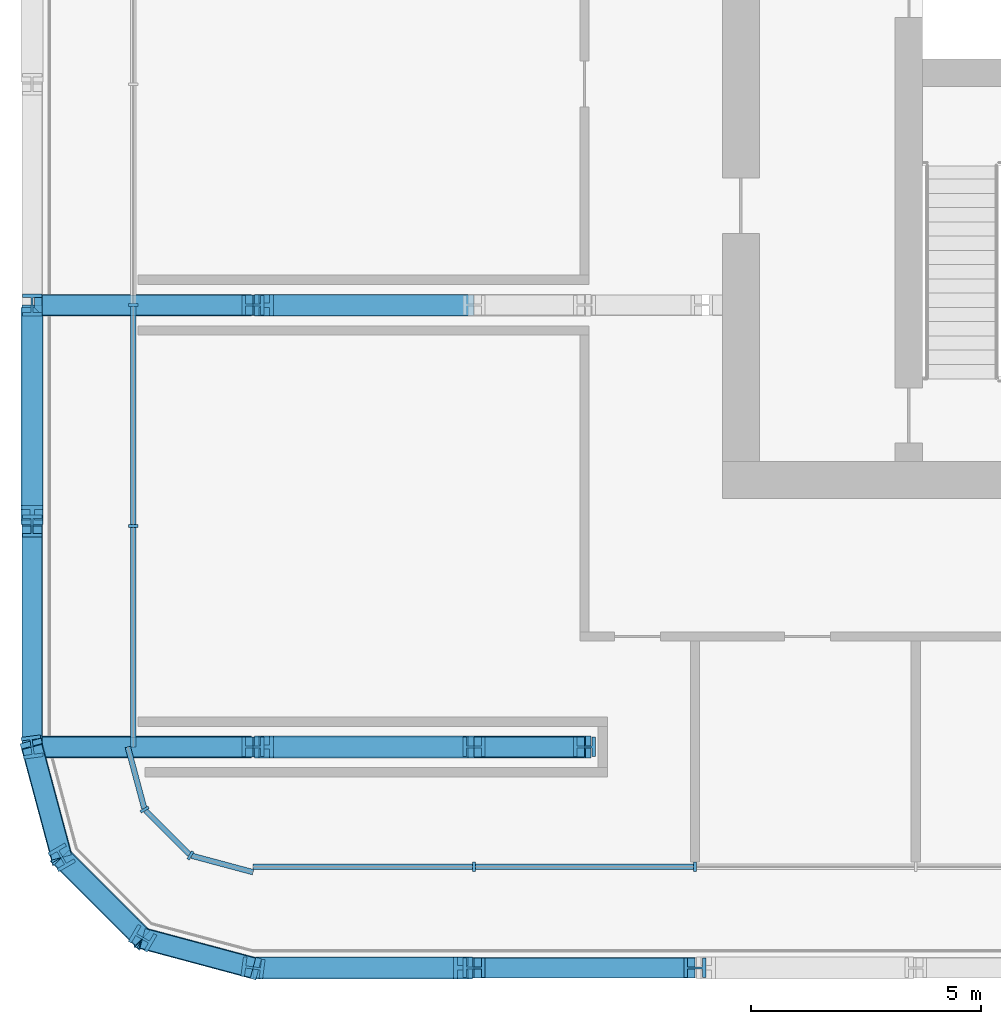
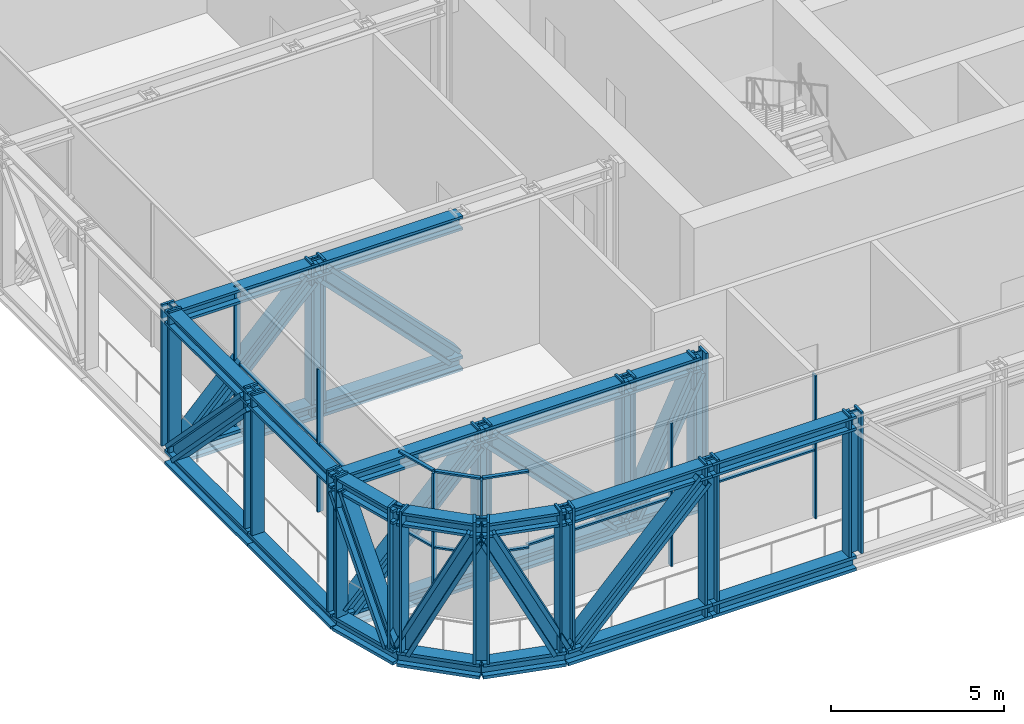
# One storey, part 1 of 25: 62 members, 3 elements without a shape of their own.
"""IFC4 building model written with IfcOpenShell, lengths in metres."""

import ifcopenshell
import ifcopenshell.guid

model = None  # the IFC model being written
_history = None  # IfcOwnerHistory: only IFC2X3 demands one
_inside = {}  # id of a spatial element -> (the spatial element, [elements in it])
_under = {}  # id of a project, library or spatial element -> (it, [spatial elements below it])
_declared = {}  # id of a project -> (the project, [libraries it declares])
_typed = {}  # id of a type object -> (the type object, [elements of that type])
_made_of = {}  # id of a material, layer set ... -> (it, [elements and type objects made of it])


def new_model(schema):
    """Start an empty IFC model of exactly this schema.

    Asked for "IFC4X3", IfcOpenShell would pick the latest addendum, in which some entities
    have other attributes; the version numbers below select the first issue.
    IFC2X3 requires an IfcOwnerHistory on every rooted entity: one is made here for all.
    """
    global model, _history
    if schema == "IFC4X3":
        model = ifcopenshell.file(schema_version=(4, 3, 0, 0))
    else:
        model = ifcopenshell.file(schema=schema)
    _inside.clear()
    _under.clear()
    _declared.clear()
    _typed.clear()
    _made_of.clear()
    _history = None
    if model.schema == "IFC2X3":
        org = make("IfcOrganization", Name="unknown")
        user = make(
            "IfcPersonAndOrganization",
            ThePerson=make("IfcPerson", FamilyName="unknown"),
            TheOrganization=org,
        )
        app = make(
            "IfcApplication",
            ApplicationDeveloper=org,
            Version="unknown",
            ApplicationFullName="unknown",
            ApplicationIdentifier="unknown",
        )
        _history = make(
            "IfcOwnerHistory",
            OwningUser=user,
            OwningApplication=app,
            ChangeAction="ADDED",
            CreationDate=0,
        )
    return model


def make(cls, **values):
    """One entity of the class cls with the attributes given. An attribute that is None is left unset."""
    return model.create_entity(
        cls, **{name: value for name, value in values.items() if value is not None}
    )


def rooted(cls, **values):
    """An entity with a GlobalId (a new one), such as an element, a storey or a relation."""
    return make(cls, GlobalId=ifcopenshell.guid.new(), OwnerHistory=_history, **values)


def si_unit(unit_type, name, prefix=None):
    """IfcSIUnit, for example si_unit("LENGTHUNIT", "METRE", prefix="MILLI")."""
    return make("IfcSIUnit", UnitType=unit_type, Prefix=prefix, Name=name)


def assignment(units):
    """IfcUnitAssignment: the units of a project."""
    return None if units is None else make("IfcUnitAssignment", Units=units)


def point(xyz):
    """IfcCartesianPoint."""
    return None if xyz is None else make("IfcCartesianPoint", Coordinates=xyz)


def direction(xyz):
    """IfcDirection."""
    return None if xyz is None else make("IfcDirection", DirectionRatios=xyz)


def frame(location, z_axis=None, x_axis=None):
    """IfcAxis2Placement3D, a coordinate frame: its origin and axes. An axis left out is left unset."""
    return make(
        "IfcAxis2Placement3D",
        Location=point(location),
        Axis=direction(z_axis),
        RefDirection=direction(x_axis),
    )


def frame_2d(location, x_axis=None):
    """IfcAxis2Placement2D, a coordinate frame in the plane: its origin and x axis."""
    return make(
        "IfcAxis2Placement2D", Location=point(location), RefDirection=direction(x_axis)
    )


def origin():
    """The frame at (0, 0, 0) with its axes left unset."""
    return frame((0.0, 0.0, 0.0))


def origin_2d():
    """The frame at (0, 0) in the plane with its x axis left unset."""
    return frame_2d((0.0, 0.0))


def place(relative_to, where):
    """IfcLocalPlacement: puts the frame where relative to a parent placement (None: the world)."""
    return make(
        "IfcLocalPlacement", PlacementRelTo=relative_to, RelativePlacement=where
    )


def context(
    kind, dimensions, precision=None, world=None, true_north=None, identifier=None
):
    """IfcGeometricRepresentationContext, for example the 3D "Model" context."""
    return make(
        "IfcGeometricRepresentationContext",
        ContextIdentifier=identifier,
        ContextType=kind,
        CoordinateSpaceDimension=dimensions,
        Precision=precision,
        WorldCoordinateSystem=world,
        TrueNorth=true_north,
    )


def subcontext(parent, identifier, kind, view, scale=None):
    """IfcGeometricRepresentationSubContext, for example "Body" below "Model"."""
    return make(
        "IfcGeometricRepresentationSubContext",
        ContextIdentifier=identifier,
        ContextType=kind,
        ParentContext=parent,
        TargetScale=scale,
        TargetView=view,
    )


def project(units=None, contexts=None):
    """IfcProject with its units and contexts."""
    return rooted(
        "IfcProject",
        Name="project",
        RepresentationContexts=contexts,
        UnitsInContext=assignment(units),
    )


def spatial(cls, under=None, at=None, **own):
    """A site, building, storey or space (cls), placed at a placement, below another one or the project."""
    s = rooted(cls, ObjectPlacement=at, **own)
    if under is not None:
        _under.setdefault(under.id(), (under, []))[1].append(s)
    return s


def profile(cls, at=None, kind="AREA", **sizes):
    """A parametric profile (cls). Its sizes go by their IFC names, for example OverallWidth=200.0."""
    return make(cls, ProfileType=kind, Position=at, **sizes)


def rectangle(**sizes):
    """IfcRectangleProfileDef."""
    return profile("IfcRectangleProfileDef", **sizes)


def i_section(**sizes):
    """IfcIShapeProfileDef."""
    return profile("IfcIShapeProfileDef", **sizes)


def extrude(swept, where, along, depth):
    """IfcExtrudedAreaSolid: the profile swept, set in the frame where, extruded along a direction by depth."""
    return make(
        "IfcExtrudedAreaSolid",
        SweptArea=swept,
        Position=where,
        ExtrudedDirection=direction(along),
        Depth=depth,
    )


def shape(context_of_items, identifier, shape_type, items):
    """IfcShapeRepresentation: the items that make up one representation, for example the "Body"."""
    return make(
        "IfcShapeRepresentation",
        ContextOfItems=context_of_items,
        RepresentationIdentifier=identifier,
        RepresentationType=shape_type,
        Items=items,
    )


def material(Name=None, Category=None):
    """IfcMaterial."""
    return make("IfcMaterial", Name=Name, Category=Category)


def layer(
    of_material, thickness, ventilated=None, Name=None, Category=None, Priority=None
):
    """IfcMaterialLayer: one layer of a wall or slab, of a material (None: an air gap)."""
    return make(
        "IfcMaterialLayer",
        Material=of_material,
        LayerThickness=thickness,
        IsVentilated=ventilated,
        Name=Name,
        Category=Category,
        Priority=Priority,
    )


def layer_set(layers, Name=None):
    """IfcMaterialLayerSet."""
    return make("IfcMaterialLayerSet", MaterialLayers=layers, LayerSetName=Name)


def material_profile(
    of_material, cross_section, Name=None, Category=None, Priority=None
):
    """IfcMaterialProfile: a cross section and its material."""
    return make(
        "IfcMaterialProfile",
        Name=Name,
        Material=of_material,
        Profile=cross_section,
        Priority=Priority,
        Category=Category,
    )


def profile_set(profiles, Name=None, composite=None):
    """IfcMaterialProfileSet."""
    return make(
        "IfcMaterialProfileSet",
        Name=Name,
        MaterialProfiles=profiles,
        CompositeProfile=composite,
    )


def made_of(thing, what):
    """Note that an element or type object is made of a material, layer set ...; save() writes the relation."""
    if what is not None:
        _made_of.setdefault(what.id(), (what, []))[1].append(thing)
    return thing


def type_object(cls, material=None, **own):
    """A type object (cls), such as IfcWallType, which elements share."""
    return made_of(rooted(cls, **own), material)


def element(
    cls,
    number,
    at=None,
    inside=None,
    cuts=None,
    type_object=None,
    material=None,
    context=None,
    identifier="Body",
    shape_type=None,
    held_by="IfcProductDefinitionShape",
    body=None,
    shapes=None,
    **own,
):
    """One element of the class cls, such as IfcWall. Its Tag is "e" and its number.

    at: its placement. inside: the storey or other place that contains it. cuts: it is an
    opening in that element (IfcRelVoidsElement). A single representation is given by context,
    identifier, shape_type and body (its items); several are given by shapes. held_by: the class
    of the entity that holds the representations. save() writes the other relations.
    """
    e = rooted(cls, Tag="e%d" % number, ObjectPlacement=at, **own)
    if body is not None:
        shapes = [shape(context, identifier, shape_type, body)]
    if shapes is not None:
        e.Representation = make(held_by, Representations=shapes)
    if inside is not None:
        _inside.setdefault(inside.id(), (inside, []))[1].append(e)
    if cuts is not None:
        rooted(
            "IfcRelVoidsElement", RelatingBuildingElement=cuts, RelatedOpeningElement=e
        )
    if type_object is not None:
        _typed.setdefault(type_object.id(), (type_object, []))[1].append(e)
    return made_of(e, material)


def aggregate(whole, parts):
    """IfcRelAggregates: a whole, such as a stair, and the parts it consists of."""
    return rooted("IfcRelAggregates", RelatingObject=whole, RelatedObjects=parts)


def save(model, path):
    """Write the relations noted so far, then the file.

    IfcRelAggregates (storeys below a building ...), IfcRelContainedInSpatialStructure (elements
    in a storey), IfcRelDefinesByType, IfcRelAssociatesMaterial and IfcRelDeclares: one each for
    every whole, place, type object, material and project.
    """
    for whole, parts in _under.values():
        aggregate(whole, parts)
    for where, things in _inside.values():
        rooted(
            "IfcRelContainedInSpatialStructure",
            RelatedElements=things,
            RelatingStructure=where,
        )
    for kind, things in _typed.values():
        rooted("IfcRelDefinesByType", RelatedObjects=things, RelatingType=kind)
    for what, things in _made_of.values():
        rooted("IfcRelAssociatesMaterial", RelatedObjects=things, RelatingMaterial=what)
    for by, libraries in _declared.values():
        rooted("IfcRelDeclares", RelatingContext=by, RelatedDefinitions=libraries)
    model.write(path)


model = new_model("IFC4")

# Units and contexts
model_context = context("Model", 3, precision=1e-05, world=origin(), true_north=direction((0.0, 1.0)))
body_context = subcontext(model_context, "Body", "Model", "MODEL_VIEW")
ifc_project = project(units=[si_unit("LENGTHUNIT", "METRE"), si_unit("AREAUNIT", "SQUARE_METRE"), si_unit("VOLUMEUNIT", "CUBIC_METRE"), si_unit("PLANEANGLEUNIT", "RADIAN"), si_unit("MASSUNIT", "GRAM", prefix="KILO")], contexts=[model_context])

# Site, building, storey
site_placement = place(None, origin())
site = spatial("IfcSite", under=ifc_project, at=site_placement, CompositionType="ELEMENT")
building_placement = place(site_placement, origin())
building = spatial("IfcBuilding", under=site, at=building_placement, Name="Madar Terraces", CompositionType="ELEMENT")
storey_placement = place(building_placement, frame((0.0, 0.0, 113.699951171875)))
storey = spatial("IfcBuildingStorey", under=building, at=storey_placement, Name="L29", CompositionType="ELEMENT", Elevation=113.699951171875)

# Members
ifc_material_1 = material(Name="Steel ASTM A913 Grade 65", Category="steel")
ifc_material_profile_1 = material_profile(ifc_material_1, i_section(OverallWidth=0.44189453125, OverallDepth=0.53076171875, WebThickness=0.06591796875, FlangeThickness=0.105712890625, at=origin_2d()), Name="W14x605")
ifc_profile_set_1 = profile_set([ifc_material_profile_1], Name="Steel ASTM A913 Grade 65")
member_type_1 = type_object("IfcMemberType", Name="BC4 W14x605", PredefinedType="CHORD", material=ifc_profile_set_1)
member_1_placement = place(storey_placement, frame((4.800048828125, 4.800048828125, -0.154541015625), z_axis=(1.0, 0.0, 0.0), x_axis=(0.0, 1.0, 0.0)))
element("IfcMember", 1, at=member_1_placement, inside=storey, type_object=member_type_1, Name="Exoskeleton truss ring bottom chord BC4", PredefinedType="CHORD", context=body_context, shape_type="SweptSolid", body=[
    extrude(i_section(OverallWidth=0.44189453125, OverallDepth=0.53076171875, WebThickness=0.06591796875, FlangeThickness=0.105712890625, at=origin_2d()), origin(), (0.0, 0.0, 1.0), 4.800048828125),
])
member_2_placement = place(storey_placement, frame((9.60009765625, 4.800048828125, -0.154541015625), z_axis=(1.0, 0.0, 0.0), x_axis=(0.0, 1.0, 0.0)))
element("IfcMember", 2, at=member_2_placement, inside=storey, type_object=member_type_1, Name="Exoskeleton truss ring bottom chord BC4", PredefinedType="CHORD", context=body_context, shape_type="SweptSolid", body=[
    extrude(i_section(OverallWidth=0.44189453125, OverallDepth=0.53076171875, WebThickness=0.06591796875, FlangeThickness=0.105712890625, at=origin_2d()), origin(), (0.0, 0.0, 1.0), 4.7998046875),
])
member_3_placement = place(storey_placement, frame((0.0, 19.199951171875, -0.154541015625), z_axis=(0.0, -1.0, 0.0), x_axis=(1.0, 0.0, 0.0)))
element("IfcMember", 3, at=member_3_placement, inside=storey, type_object=member_type_1, Name="Exoskeleton truss ring bottom chord BC4", PredefinedType="CHORD", context=body_context, shape_type="SweptSolid", body=[
    extrude(i_section(OverallWidth=0.44189453125, OverallDepth=0.53076171875, WebThickness=0.06591796875, FlangeThickness=0.105712890625, at=origin_2d()), origin(), (0.0, 0.0, 1.0), 4.800048828125),
])
member_4_placement = place(storey_placement, frame((0.0, 14.39990234375, -0.154541015625), z_axis=(0.0, -1.0, 0.0), x_axis=(1.0, 0.0, 0.0)))
element("IfcMember", 4, at=member_4_placement, inside=storey, type_object=member_type_1, Name="Exoskeleton truss ring bottom chord BC4", PredefinedType="CHORD", context=body_context, shape_type="SweptSolid", body=[
    extrude(i_section(OverallWidth=0.44189453125, OverallDepth=0.53076171875, WebThickness=0.06591796875, FlangeThickness=0.105712890625, at=origin_2d()), origin(), (0.0, 0.0, 1.0), 4.7998046875),
])
member_5_placement = place(storey_placement, frame((0.0, 9.60009765625, -0.154541015625), z_axis=(0.258799930484, -0.965930947833, 0.0), x_axis=(0.965930947833, 0.258799930484, 0.0)))
element("IfcMember", 5, at=member_5_placement, inside=storey, type_object=member_type_1, Name="Exoskeleton truss ring bottom chord BC4", PredefinedType="CHORD", context=body_context, shape_type="SweptSolid", body=[
    extrude(i_section(OverallWidth=0.44189453125, OverallDepth=0.53076171875, WebThickness=0.06591796875, FlangeThickness=0.105712890625, at=origin_2d()), origin(), (0.0, 0.0, 1.0), 2.48486328125),
])
member_6_placement = place(storey_placement, frame((0.64306640625, 7.199951171875, -0.154541015625), z_axis=(0.707106781187, -0.707106781187, 0.0), x_axis=(0.707106781187, 0.707106781187, 0.0)))
element("IfcMember", 6, at=member_6_placement, inside=storey, type_object=member_type_1, Name="Exoskeleton truss ring bottom chord BC4", PredefinedType="CHORD", context=body_context, shape_type="SweptSolid", body=[
    extrude(i_section(OverallWidth=0.44189453125, OverallDepth=0.53076171875, WebThickness=0.06591796875, FlangeThickness=0.105712890625, at=origin_2d()), origin(), (0.0, 0.0, 1.0), 2.484619140625),
])
member_7_placement = place(storey_placement, frame((2.39990234375, 5.443115234375, -0.154541015625), z_axis=(0.965930947833, -0.258799930484, 0.0), x_axis=(0.258799930484, 0.965930947833, 0.0)))
element("IfcMember", 7, at=member_7_placement, inside=storey, type_object=member_type_1, Name="Exoskeleton truss ring bottom chord BC4", PredefinedType="CHORD", context=body_context, shape_type="SweptSolid", body=[
    extrude(i_section(OverallWidth=0.44189453125, OverallDepth=0.53076171875, WebThickness=0.06591796875, FlangeThickness=0.105712890625, at=origin_2d()), origin(), (0.0, 0.0, 1.0), 2.48486328125),
])
member_8_placement = place(storey_placement, frame((0.220947265625, 9.60009765625, -0.154541015625), z_axis=(1.0, 0.0, 0.0), x_axis=(0.0, 1.0, 0.0)))
element("IfcMember", 8, at=member_8_placement, inside=storey, type_object=member_type_1, Name="Exoskeleton truss cross W9.6 bottom chord BC4", PredefinedType="CHORD", context=body_context, shape_type="SweptSolid", body=[
    extrude(i_section(OverallWidth=0.44189453125, OverallDepth=0.53076171875, WebThickness=0.06591796875, FlangeThickness=0.105712890625, at=origin_2d()), origin(), (0.0, 0.0, 1.0), 4.5791015625),
])
member_9_placement = place(storey_placement, frame((4.800048828125, 9.60009765625, -0.154541015625), z_axis=(1.0, 0.0, 0.0), x_axis=(0.0, 1.0, 0.0)))
element("IfcMember", 9, at=member_9_placement, inside=storey, type_object=member_type_1, Name="Exoskeleton truss cross W9.6 bottom chord BC4", PredefinedType="CHORD", context=body_context, shape_type="SweptSolid", body=[
    extrude(i_section(OverallWidth=0.44189453125, OverallDepth=0.53076171875, WebThickness=0.06591796875, FlangeThickness=0.105712890625, at=origin_2d()), origin(), (0.0, 0.0, 1.0), 4.800048828125),
])
member_10_placement = place(storey_placement, frame((9.60009765625, 9.60009765625, -0.154541015625), z_axis=(1.0, 0.0, 0.0), x_axis=(0.0, 1.0, 0.0)))
element("IfcMember", 10, at=member_10_placement, inside=storey, type_object=member_type_1, Name="Exoskeleton truss cross W9.6 bottom chord BC4", PredefinedType="CHORD", context=body_context, shape_type="SweptSolid", body=[
    extrude(i_section(OverallWidth=0.44189453125, OverallDepth=0.53076171875, WebThickness=0.06591796875, FlangeThickness=0.105712890625, at=origin_2d()), origin(), (0.0, 0.0, 1.0), 2.39990234375),
])
member_11_placement = place(storey_placement, frame((0.220947265625, 19.199951171875, -0.154541015625), z_axis=(1.0, 0.0, 0.0), x_axis=(0.0, 1.0, 0.0)))
element("IfcMember", 11, at=member_11_placement, inside=storey, type_object=member_type_1, Name="Exoskeleton truss cross W19.2 bottom chord BC4", PredefinedType="CHORD", context=body_context, shape_type="SweptSolid", body=[
    extrude(i_section(OverallWidth=0.44189453125, OverallDepth=0.53076171875, WebThickness=0.06591796875, FlangeThickness=0.105712890625, at=origin_2d()), origin(), (0.0, 0.0, 1.0), 4.5791015625),
])
member_12_placement = place(storey_placement, frame((4.800048828125, 19.199951171875, -0.154541015625), z_axis=(1.0, 0.0, 0.0), x_axis=(0.0, 1.0, 0.0)))
element("IfcMember", 12, at=member_12_placement, inside=storey, type_object=member_type_1, Name="Exoskeleton truss cross W19.2 bottom chord BC4", PredefinedType="CHORD", context=body_context, shape_type="SweptSolid", body=[
    extrude(i_section(OverallWidth=0.44189453125, OverallDepth=0.53076171875, WebThickness=0.06591796875, FlangeThickness=0.105712890625, at=origin_2d()), origin(), (0.0, 0.0, 1.0), 4.800048828125),
])

# Curtain wall, members
ifc_material_2 = material(Name="Glass, ceramic frit dark grey, with black aluminium frame", Category="aluminium")
ifc_layer = layer(ifc_material_2, 0.199951171875)
ifc_layer_set = layer_set([ifc_layer], Name="Facade curtain wall, tall glazing")
curtain_wall_type = type_object("IfcCurtainWallType", Name="Facade curtain wall, tall glazing", PredefinedType="NOTDEFINED", material=ifc_layer_set)
curtain_wall_1_placement = place(storey_placement, origin())
curtain_wall_1 = element("IfcCurtainWall", 13, at=curtain_wall_1_placement, inside=storey, type_object=curtain_wall_type, Name="Outer skin curtain wall south bay 1", PredefinedType="NOTDEFINED")
ifc_material_3 = material(Name="Aluminium, black anodised", Category="aluminium")
ifc_material_profile_2 = material_profile(ifc_material_3, rectangle(XDim=0.199951171875, YDim=0.06005859375, at=origin_2d()), Name="Facade mullion 60x200")
ifc_profile_set_2 = profile_set([ifc_material_profile_2], Name="Aluminium, black anodised")
member_type_2 = type_object("IfcMemberType", Name="Facade mullion 60x200", PredefinedType="MULLION", material=ifc_profile_set_2)
member_13_placement = place(storey_placement, frame((9.60009765625, 7.0, 0.0), z_axis=(0.0, 0.0, 1.0), x_axis=(0.0, 1.0, 0.0)))
member_13 = element("IfcMember", 14, at=member_13_placement, type_object=member_type_2, Name="Mullion 1", PredefinedType="MULLION", context=body_context, shape_type="SweptSolid", body=[
    extrude(rectangle(XDim=0.199951171875, YDim=0.06005859375, at=origin_2d()), origin(), (0.0, 0.0, 1.0), 5.0400390625),
])
member_14_placement = place(storey_placement, frame((14.39990234375, 7.0, 0.0), z_axis=(0.0, 0.0, 1.0), x_axis=(0.0, 1.0, 0.0)))
member_14 = element("IfcMember", 15, at=member_14_placement, type_object=member_type_2, Name="Mullion 2", PredefinedType="MULLION", context=body_context, shape_type="SweptSolid", body=[
    extrude(rectangle(XDim=0.199951171875, YDim=0.06005859375, at=origin_2d()), origin(), (0.0, 0.0, 1.0), 5.0400390625),
])

curtain_wall_2_placement = place(storey_placement, origin())
curtain_wall_2 = element("IfcCurtainWall", 16, at=curtain_wall_2_placement, inside=storey, type_object=curtain_wall_type, Name="Outer skin curtain wall west bay 1", PredefinedType="NOTDEFINED")
member_15_placement = place(storey_placement, frame((2.199951171875, 19.199951171875, 0.0), z_axis=(0.0, 0.0, 1.0), x_axis=(1.0, 0.0, 0.0)))
member_15 = element("IfcMember", 17, at=member_15_placement, type_object=member_type_2, Name="Mullion 6", PredefinedType="MULLION", context=body_context, shape_type="SweptSolid", body=[
    extrude(rectangle(XDim=0.199951171875, YDim=0.06005859375, at=origin_2d()), origin(), (0.0, 0.0, 1.0), 5.0400390625),
])
member_16_placement = place(storey_placement, frame((2.199951171875, 14.39990234375, 0.0), z_axis=(0.0, 0.0, 1.0), x_axis=(1.0, 0.0, 0.0)))
member_16 = element("IfcMember", 18, at=member_16_placement, type_object=member_type_2, Name="Mullion 7", PredefinedType="MULLION", context=body_context, shape_type="SweptSolid", body=[
    extrude(rectangle(XDim=0.199951171875, YDim=0.06005859375, at=origin_2d()), origin(), (0.0, 0.0, 1.0), 5.0400390625),
])

curtain_wall_3_placement = place(storey_placement, origin())
curtain_wall_3 = element("IfcCurtainWall", 19, at=curtain_wall_3_placement, inside=storey, type_object=curtain_wall_type, Name="Outer skin curtain wall south-west corner", PredefinedType="NOTDEFINED")
member_17_placement = place(storey_placement, frame((2.4443359375, 8.239990234375, 0.0), z_axis=(0.0, 0.0, 1.0), x_axis=(0.866025386925, 0.500000029202, 0.0)))
member_17 = element("IfcMember", 20, at=member_17_placement, type_object=member_type_2, Name="Mullion 1", PredefinedType="MULLION", context=body_context, shape_type="SweptSolid", body=[
    extrude(rectangle(XDim=0.199951171875, YDim=0.06005859375, at=origin_2d()), origin(), (0.0, 0.0, 1.0), 5.0400390625),
])
member_18_placement = place(storey_placement, frame((3.43994140625, 7.244384765625, 0.0), z_axis=(0.0, 0.0, 1.0), x_axis=(0.500000029202, 0.866025386925, 0.0)))
member_18 = element("IfcMember", 21, at=member_18_placement, type_object=member_type_2, Name="Mullion 2", PredefinedType="MULLION", context=body_context, shape_type="SweptSolid", body=[
    extrude(rectangle(XDim=0.199951171875, YDim=0.06005859375, at=origin_2d()), origin(), (0.0, 0.0, 1.0), 5.0400390625),
])

# Member
ifc_material_4 = material(Name="Aluminium, black anodised", Category="aluminium")
ifc_material_profile_3 = material_profile(ifc_material_4, rectangle(XDim=0.1201171875, YDim=0.06005859375, at=origin_2d()), Name="Facade transom 60x120")
ifc_profile_set_3 = profile_set([ifc_material_profile_3], Name="Aluminium, black anodised")
member_type_3 = type_object("IfcMemberType", Name="Facade transom 60x120", PredefinedType="USERDEFINED", material=ifc_profile_set_3)
member_19_placement = place(storey_placement, frame((4.800048828125, 7.0, 2.400146484375), z_axis=(1.0, 0.0, 0.0), x_axis=(0.0, 1.0, 0.0)))
member_19 = element("IfcMember", 22, at=member_19_placement, type_object=member_type_3, Name="Transom 2", ObjectType="TRANSOM", PredefinedType="USERDEFINED", context=body_context, shape_type="SweptSolid", body=[
    extrude(rectangle(XDim=0.1201171875, YDim=0.06005859375, at=origin_2d()), origin(), (0.0, 0.0, 1.0), 4.77001953125),
])

member_20_placement = place(storey_placement, frame((9.6298828125, 7.0, 2.400146484375), z_axis=(1.0, 0.0, 0.0), x_axis=(0.0, 1.0, 0.0)))
member_20 = element("IfcMember", 23, at=member_20_placement, type_object=member_type_3, Name="Transom 3", ObjectType="TRANSOM", PredefinedType="USERDEFINED", context=body_context, shape_type="SweptSolid", body=[
    extrude(rectangle(XDim=0.1201171875, YDim=0.06005859375, at=origin_2d()), origin(), (0.0, 0.0, 1.0), 4.740234375),
])

aggregate(curtain_wall_1, [member_13, member_14, member_19, member_20])

member_21_placement = place(storey_placement, frame((2.199951171875, 19.169921875, 2.400146484375), z_axis=(0.0, -1.0, 0.0), x_axis=(1.0, 0.0, 0.0)))
member_21 = element("IfcMember", 24, at=member_21_placement, type_object=member_type_3, Name="Transom 8", ObjectType="TRANSOM", PredefinedType="USERDEFINED", context=body_context, shape_type="SweptSolid", body=[
    extrude(rectangle(XDim=0.1201171875, YDim=0.06005859375, at=origin_2d()), origin(), (0.0, 0.0, 1.0), 4.739990234375),
])

member_22_placement = place(storey_placement, frame((2.199951171875, 14.3701171875, 2.400146484375), z_axis=(0.0, -1.0, 0.0), x_axis=(1.0, 0.0, 0.0)))
member_22 = element("IfcMember", 25, at=member_22_placement, type_object=member_type_3, Name="Transom 9", ObjectType="TRANSOM", PredefinedType="USERDEFINED", context=body_context, shape_type="SweptSolid", body=[
    extrude(rectangle(XDim=0.1201171875, YDim=0.06005859375, at=origin_2d()), origin(), (0.0, 0.0, 1.0), 4.77001953125),
])

aggregate(curtain_wall_2, [member_15, member_16, member_21, member_22])

member_23_placement = place(storey_placement, frame((2.080078125, 9.60009765625, 5.070068359375), z_axis=(0.258842352791, -0.965919580711, 0.0), x_axis=(0.965919580711, 0.258842352791, 0.0)))
member_23 = element("IfcMember", 26, at=member_23_placement, type_object=member_type_3, Name="Transom 1", ObjectType="TRANSOM", PredefinedType="USERDEFINED", context=body_context, shape_type="SweptSolid", body=[
    extrude(rectangle(XDim=0.1201171875, YDim=0.06005859375, at=origin_2d()), origin(), (0.0, 0.0, 1.0), 1.3779296875),
])

member_24_placement = place(storey_placement, frame((2.080078125, 9.60009765625, 2.400146484375), z_axis=(0.258842352791, -0.965919580711, 0.0), x_axis=(0.965919580711, 0.258842352791, 0.0)))
member_24 = element("IfcMember", 27, at=member_24_placement, type_object=member_type_3, Name="Transom 2", ObjectType="TRANSOM", PredefinedType="USERDEFINED", context=body_context, shape_type="SweptSolid", body=[
    extrude(rectangle(XDim=0.1201171875, YDim=0.06005859375, at=origin_2d()), origin(), (0.0, 0.0, 1.0), 1.3779296875),
])

member_25_placement = place(storey_placement, frame((2.465576171875, 8.21875, 5.070068359375), z_axis=(0.707106781187, -0.707106781187, 0.0), x_axis=(0.707106781187, 0.707106781187, 0.0)))
member_25 = element("IfcMember", 28, at=member_25_placement, type_object=member_type_3, Name="Transom 3", ObjectType="TRANSOM", PredefinedType="USERDEFINED", context=body_context, shape_type="SweptSolid", body=[
    extrude(rectangle(XDim=0.1201171875, YDim=0.06005859375, at=origin_2d()), origin(), (0.0, 0.0, 1.0), 1.347900390625),
])

member_26_placement = place(storey_placement, frame((2.465576171875, 8.21875, 2.400146484375), z_axis=(0.707106781187, -0.707106781187, 0.0), x_axis=(0.707106781187, 0.707106781187, 0.0)))
member_26 = element("IfcMember", 29, at=member_26_placement, type_object=member_type_3, Name="Transom 4", ObjectType="TRANSOM", PredefinedType="USERDEFINED", context=body_context, shape_type="SweptSolid", body=[
    extrude(rectangle(XDim=0.1201171875, YDim=0.06005859375, at=origin_2d()), origin(), (0.0, 0.0, 1.0), 1.347900390625),
])

member_27_placement = place(storey_placement, frame((3.468994140625, 7.236572265625, 5.070068359375), z_axis=(0.965919580711, -0.258842352791, 0.0), x_axis=(0.258842352791, 0.965919580711, 0.0)))
member_27 = element("IfcMember", 30, at=member_27_placement, type_object=member_type_3, Name="Transom 5", ObjectType="TRANSOM", PredefinedType="USERDEFINED", context=body_context, shape_type="SweptSolid", body=[
    extrude(rectangle(XDim=0.1201171875, YDim=0.06005859375, at=origin_2d()), origin(), (0.0, 0.0, 1.0), 1.3779296875),
])

member_28_placement = place(storey_placement, frame((3.468994140625, 7.236572265625, 2.400146484375), z_axis=(0.965919580711, -0.258842352791, 0.0), x_axis=(0.258842352791, 0.965919580711, 0.0)))
member_28 = element("IfcMember", 31, at=member_28_placement, type_object=member_type_3, Name="Transom 6", ObjectType="TRANSOM", PredefinedType="USERDEFINED", context=body_context, shape_type="SweptSolid", body=[
    extrude(rectangle(XDim=0.1201171875, YDim=0.06005859375, at=origin_2d()), origin(), (0.0, 0.0, 1.0), 1.3779296875),
])

aggregate(curtain_wall_3, [member_17, member_23, member_24, member_18, member_25, member_26, member_27, member_28])

# Members
ifc_material_5 = material(Name="Steel ASTM A913 Grade 65", Category="steel")
ifc_material_profile_4 = material_profile(ifc_material_5, i_section(OverallWidth=0.431884765625, OverallDepth=0.497802734375, WebThickness=0.0556640625, FlangeThickness=0.0888671875, at=origin_2d()), Name="W14x500")
ifc_profile_set_4 = profile_set([ifc_material_profile_4], Name="Steel ASTM A913 Grade 65")
member_type_4 = type_object("IfcMemberType", Name="TC4 W14x500", PredefinedType="CHORD", material=ifc_profile_set_4)
member_29_placement = place(storey_placement, frame((4.800048828125, 4.800048828125, 4.78125), z_axis=(1.0, 0.0, 0.0), x_axis=(0.0, 1.0, 0.0)))
element("IfcMember", 32, at=member_29_placement, inside=storey, type_object=member_type_4, Name="Exoskeleton truss ring top chord TC4", PredefinedType="CHORD", context=body_context, shape_type="SweptSolid", body=[
    extrude(i_section(OverallWidth=0.431884765625, OverallDepth=0.497802734375, WebThickness=0.0556640625, FlangeThickness=0.0888671875, at=origin_2d()), origin(), (0.0, 0.0, 1.0), 4.800048828125),
])
member_30_placement = place(storey_placement, frame((9.60009765625, 4.800048828125, 4.78125), z_axis=(1.0, 0.0, 0.0), x_axis=(0.0, 1.0, 0.0)))
element("IfcMember", 33, at=member_30_placement, inside=storey, type_object=member_type_4, Name="Exoskeleton truss ring top chord TC4", PredefinedType="CHORD", context=body_context, shape_type="SweptSolid", body=[
    extrude(i_section(OverallWidth=0.431884765625, OverallDepth=0.497802734375, WebThickness=0.0556640625, FlangeThickness=0.0888671875, at=origin_2d()), origin(), (0.0, 0.0, 1.0), 4.7998046875),
])
member_31_placement = place(storey_placement, frame((0.0, 19.199951171875, 4.78125), z_axis=(0.0, -1.0, 0.0), x_axis=(1.0, 0.0, 0.0)))
element("IfcMember", 34, at=member_31_placement, inside=storey, type_object=member_type_4, Name="Exoskeleton truss ring top chord TC4", PredefinedType="CHORD", context=body_context, shape_type="SweptSolid", body=[
    extrude(i_section(OverallWidth=0.431884765625, OverallDepth=0.497802734375, WebThickness=0.0556640625, FlangeThickness=0.0888671875, at=origin_2d()), origin(), (0.0, 0.0, 1.0), 4.800048828125),
])
member_32_placement = place(storey_placement, frame((0.0, 14.39990234375, 4.78125), z_axis=(0.0, -1.0, 0.0), x_axis=(1.0, 0.0, 0.0)))
element("IfcMember", 35, at=member_32_placement, inside=storey, type_object=member_type_4, Name="Exoskeleton truss ring top chord TC4", PredefinedType="CHORD", context=body_context, shape_type="SweptSolid", body=[
    extrude(i_section(OverallWidth=0.431884765625, OverallDepth=0.497802734375, WebThickness=0.0556640625, FlangeThickness=0.0888671875, at=origin_2d()), origin(), (0.0, 0.0, 1.0), 4.7998046875),
])
member_33_placement = place(storey_placement, frame((0.0, 9.60009765625, 4.78125), z_axis=(0.258799930484, -0.965930947833, 0.0), x_axis=(0.965930947833, 0.258799930484, 0.0)))
element("IfcMember", 36, at=member_33_placement, inside=storey, type_object=member_type_4, Name="Exoskeleton truss ring top chord TC4", PredefinedType="CHORD", context=body_context, shape_type="SweptSolid", body=[
    extrude(i_section(OverallWidth=0.431884765625, OverallDepth=0.497802734375, WebThickness=0.0556640625, FlangeThickness=0.0888671875, at=origin_2d()), origin(), (0.0, 0.0, 1.0), 2.48486328125),
])
member_34_placement = place(storey_placement, frame((0.64306640625, 7.199951171875, 4.78125), z_axis=(0.707106781187, -0.707106781187, 0.0), x_axis=(0.707106781187, 0.707106781187, 0.0)))
element("IfcMember", 37, at=member_34_placement, inside=storey, type_object=member_type_4, Name="Exoskeleton truss ring top chord TC4", PredefinedType="CHORD", context=body_context, shape_type="SweptSolid", body=[
    extrude(i_section(OverallWidth=0.431884765625, OverallDepth=0.497802734375, WebThickness=0.0556640625, FlangeThickness=0.0888671875, at=origin_2d()), origin(), (0.0, 0.0, 1.0), 2.484619140625),
])
member_35_placement = place(storey_placement, frame((2.39990234375, 5.443115234375, 4.78125), z_axis=(0.965930947833, -0.258799930484, 0.0), x_axis=(0.258799930484, 0.965930947833, 0.0)))
element("IfcMember", 38, at=member_35_placement, inside=storey, type_object=member_type_4, Name="Exoskeleton truss ring top chord TC4", PredefinedType="CHORD", context=body_context, shape_type="SweptSolid", body=[
    extrude(i_section(OverallWidth=0.431884765625, OverallDepth=0.497802734375, WebThickness=0.0556640625, FlangeThickness=0.0888671875, at=origin_2d()), origin(), (0.0, 0.0, 1.0), 2.48486328125),
])
member_36_placement = place(storey_placement, frame((0.2158203125, 9.60009765625, 4.78125), z_axis=(1.0, 0.0, 0.0), x_axis=(0.0, 1.0, 0.0)))
element("IfcMember", 39, at=member_36_placement, inside=storey, type_object=member_type_4, Name="Exoskeleton truss cross W9.6 top chord TC4", PredefinedType="CHORD", context=body_context, shape_type="SweptSolid", body=[
    extrude(i_section(OverallWidth=0.431884765625, OverallDepth=0.497802734375, WebThickness=0.0556640625, FlangeThickness=0.0888671875, at=origin_2d()), origin(), (0.0, 0.0, 1.0), 4.584228515625),
])
member_37_placement = place(storey_placement, frame((4.800048828125, 9.60009765625, 4.78125), z_axis=(1.0, 0.0, 0.0), x_axis=(0.0, 1.0, 0.0)))
element("IfcMember", 40, at=member_37_placement, inside=storey, type_object=member_type_4, Name="Exoskeleton truss cross W9.6 top chord TC4", PredefinedType="CHORD", context=body_context, shape_type="SweptSolid", body=[
    extrude(i_section(OverallWidth=0.431884765625, OverallDepth=0.497802734375, WebThickness=0.0556640625, FlangeThickness=0.0888671875, at=origin_2d()), origin(), (0.0, 0.0, 1.0), 4.800048828125),
])
member_38_placement = place(storey_placement, frame((9.60009765625, 9.60009765625, 4.78125), z_axis=(1.0, 0.0, 0.0), x_axis=(0.0, 1.0, 0.0)))
element("IfcMember", 41, at=member_38_placement, inside=storey, type_object=member_type_4, Name="Exoskeleton truss cross W9.6 top chord TC4", PredefinedType="CHORD", context=body_context, shape_type="SweptSolid", body=[
    extrude(i_section(OverallWidth=0.431884765625, OverallDepth=0.497802734375, WebThickness=0.0556640625, FlangeThickness=0.0888671875, at=origin_2d()), origin(), (0.0, 0.0, 1.0), 2.39990234375),
])
member_39_placement = place(storey_placement, frame((0.2158203125, 19.199951171875, 4.78125), z_axis=(1.0, 0.0, 0.0), x_axis=(0.0, 1.0, 0.0)))
element("IfcMember", 42, at=member_39_placement, inside=storey, type_object=member_type_4, Name="Exoskeleton truss cross W19.2 top chord TC4", PredefinedType="CHORD", context=body_context, shape_type="SweptSolid", body=[
    extrude(i_section(OverallWidth=0.431884765625, OverallDepth=0.497802734375, WebThickness=0.0556640625, FlangeThickness=0.0888671875, at=origin_2d()), origin(), (0.0, 0.0, 1.0), 4.584228515625),
])
member_40_placement = place(storey_placement, frame((4.800048828125, 19.199951171875, 4.78125), z_axis=(1.0, 0.0, 0.0), x_axis=(0.0, 1.0, 0.0)))
element("IfcMember", 43, at=member_40_placement, inside=storey, type_object=member_type_4, Name="Exoskeleton truss cross W19.2 top chord TC4", PredefinedType="CHORD", context=body_context, shape_type="SweptSolid", body=[
    extrude(i_section(OverallWidth=0.431884765625, OverallDepth=0.497802734375, WebThickness=0.0556640625, FlangeThickness=0.0888671875, at=origin_2d()), origin(), (0.0, 0.0, 1.0), 4.800048828125),
])
ifc_material_6 = material(Name="Steel ASTM A913 Grade 65", Category="steel")
ifc_material_profile_5 = material_profile(ifc_material_6, i_section(OverallWidth=0.472412109375, OverallDepth=0.5791015625, WebThickness=0.094970703125, FlangeThickness=0.130126953125, at=origin_2d()), Name="W14x808")
ifc_profile_set_5 = profile_set([ifc_material_profile_5], Name="Steel ASTM A913 Grade 65")
member_type_5 = type_object("IfcMemberType", Name="TD4 W14x808", PredefinedType="BRACE", material=ifc_profile_set_5)
for number, where, z_axis, x_axis, name in (
    (44, (5.05810546875, 4.800048828125, 0.11083984375), (0.697181267802, 0.0, 0.716894887571), (0.0, 1.0, 0.0), "Exoskeleton truss ring diagonal TD4"),
    (45, (0.0, 18.94189453125, 0.11083984375), (0.0, -0.697181267802, 0.716894887571), (1.0, 0.0, 0.0), "Exoskeleton truss ring diagonal TD4"),
):
    element("IfcMember", number, at=place(storey_placement, frame(where, z_axis=z_axis, x_axis=x_axis)), inside=storey, type_object=member_type_5, Name=name, PredefinedType="BRACE", context=body_context, shape_type="SweptSolid", body=[
        extrude(i_section(OverallWidth=0.472412109375, OverallDepth=0.5791015625, WebThickness=0.094970703125, FlangeThickness=0.130126953125, at=origin_2d()), origin(), (0.0, 0.0, 1.0), 6.16748046875),
    ])
for number, where, z_axis, x_axis, name in (
    (46, (0.032470703125, 9.47900390625, 4.5322265625), (0.116349195467, -0.434324296433, -0.893210652782), (0.965941197501, 0.258761672144, 0.0), "Exoskeleton truss ring diagonal TD4"),
    (47, (0.737548828125, 7.10546875, 0.11083984375), (0.317929138044, -0.317929138044, 0.893220088424), (0.707106781187, 0.707106781187, 0.0), "Exoskeleton truss ring diagonal TD4"),
    (48, (2.52099609375, 5.41064453125, 4.5322265625), (0.434321803553, -0.116397848783, -0.893205526045), (0.258864014379, 0.965913775686, 0.0), "Exoskeleton truss ring diagonal TD4"),
):
    element("IfcMember", number, at=place(storey_placement, frame(where, z_axis=z_axis, x_axis=x_axis)), inside=storey, type_object=member_type_5, Name=name, PredefinedType="BRACE", context=body_context, shape_type="SweptSolid", body=[
        extrude(i_section(OverallWidth=0.472412109375, OverallDepth=0.5791015625, WebThickness=0.094970703125, FlangeThickness=0.130126953125, at=origin_2d()), origin(), (0.0, 0.0, 1.0), 4.949951171875),
    ])
for number, where, z_axis, x_axis, name in (
    (49, (0.258056640625, 9.60009765625, 0.11083984375), (0.697181267802, 0.0, 0.716894887571), (0.0, 1.0, 0.0), "Exoskeleton truss cross W9.6 diagonal TD4"),
    (50, (5.0419921875, 9.60009765625, 4.5322265625), (0.697181267802, 0.0, -0.716894887571), (0.0, 1.0, 0.0), "Exoskeleton truss cross W9.6 diagonal TD4"),
):
    element("IfcMember", number, at=place(storey_placement, frame(where, z_axis=z_axis, x_axis=x_axis)), inside=storey, type_object=member_type_5, Name=name, PredefinedType="BRACE", context=body_context, shape_type="SweptSolid", body=[
        extrude(i_section(OverallWidth=0.472412109375, OverallDepth=0.5791015625, WebThickness=0.094970703125, FlangeThickness=0.130126953125, at=origin_2d()), origin(), (0.0, 0.0, 1.0), 6.16748046875),
    ])
member_41_placement = place(storey_placement, frame((9.72900390625, 9.60009765625, 0.11083984375), z_axis=(0.43729423743, 0.0, 0.899318491921), x_axis=(0.0, 1.0, 0.0)))
element("IfcMember", 51, at=member_41_placement, inside=storey, type_object=member_type_5, Name="Exoskeleton truss cross W9.6 diagonal TD4", PredefinedType="BRACE", context=body_context, shape_type="SweptSolid", body=[
    extrude(i_section(OverallWidth=0.472412109375, OverallDepth=0.5791015625, WebThickness=0.094970703125, FlangeThickness=0.130126953125, at=origin_2d()), origin(), (0.0, 0.0, 1.0), 4.916259765625),
])
for number, where, z_axis, x_axis, name in (
    (52, (0.258056640625, 19.199951171875, 0.11083984375), (0.697181267802, 0.0, 0.716894887571), (0.0, 1.0, 0.0), "Exoskeleton truss cross W19.2 diagonal TD4"),
    (53, (5.0419921875, 19.199951171875, 4.5322265625), (0.697181267802, 0.0, -0.716894887571), (0.0, 1.0, 0.0), "Exoskeleton truss cross W19.2 diagonal TD4"),
):
    element("IfcMember", number, at=place(storey_placement, frame(where, z_axis=z_axis, x_axis=x_axis)), inside=storey, type_object=member_type_5, Name=name, PredefinedType="BRACE", context=body_context, shape_type="SweptSolid", body=[
        extrude(i_section(OverallWidth=0.472412109375, OverallDepth=0.5791015625, WebThickness=0.094970703125, FlangeThickness=0.130126953125, at=origin_2d()), origin(), (0.0, 0.0, 1.0), 6.16748046875),
    ])
ifc_material_7 = material(Name="Steel ASTM A913 Grade 65", Category="steel")
ifc_material_profile_6 = material_profile(ifc_material_7, i_section(OverallWidth=0.424072265625, OverallDepth=0.47509765625, WebThickness=0.0478515625, FlangeThickness=0.0771484375, at=origin_2d()), Name="W14x426")
ifc_profile_set_6 = profile_set([ifc_material_profile_6], Name="Steel ASTM A913 Grade 65")
member_type_6 = type_object("IfcMemberType", Name="TV4 W14x426", PredefinedType="POST", material=ifc_profile_set_6)
member_42_placement = place(storey_placement, frame((4.800048828125, 4.800048828125, 0.11083984375), z_axis=(0.0, 0.0, 1.0), x_axis=(0.130526174916, 0.991444863652, 0.0)))
element("IfcMember", 54, at=member_42_placement, inside=storey, type_object=member_type_6, Name="Exoskeleton truss ring post TV4", PredefinedType="POST", context=body_context, shape_type="SweptSolid", body=[
    extrude(i_section(OverallWidth=0.424072265625, OverallDepth=0.47509765625, WebThickness=0.0478515625, FlangeThickness=0.0771484375, at=origin_2d()), origin(), (0.0, 0.0, 1.0), 4.9892578125),
])
member_43_placement = place(storey_placement, frame((9.60009765625, 4.800048828125, -0.419921875), z_axis=(0.0, 0.0, 1.0), x_axis=(0.0, 1.0, 0.0)))
element("IfcMember", 55, at=member_43_placement, inside=storey, type_object=member_type_6, Name="Exoskeleton truss ring post TV4", PredefinedType="POST", context=body_context, shape_type="SweptSolid", body=[
    extrude(i_section(OverallWidth=0.424072265625, OverallDepth=0.47509765625, WebThickness=0.0478515625, FlangeThickness=0.0771484375, at=origin_2d()), origin(), (0.0, 0.0, 1.0), 5.52001953125),
])
for number, where, z_axis, x_axis, name in (
    (56, (14.39990234375, 4.800048828125, 0.11083984375), (0.0, 0.0, 1.0), (0.0, 1.0, 0.0), "Exoskeleton truss ring post TV4"),
    (57, (0.0, 19.199951171875, 0.11083984375), (0.0, 0.0, 1.0), (1.0, 0.0, 0.0), "Exoskeleton truss ring post TV4"),
    (58, (0.0, 14.39990234375, 0.11083984375), (0.0, 0.0, 1.0), (1.0, 0.0, 0.0), "Exoskeleton truss ring post TV4"),
    (59, (0.0, 9.60009765625, 0.11083984375), (0.0, 0.0, 1.0), (0.991444863652, 0.130526174916, 0.0), "Exoskeleton truss ring post TV4"),
    (60, (0.64306640625, 7.199951171875, 0.11083984375), (0.0, 0.0, 1.0), (0.866025412511, 0.499999984885, 0.0), "Exoskeleton truss ring post TV4"),
    (61, (2.39990234375, 5.443115234375, 0.11083984375), (0.0, 0.0, 1.0), (0.499999984885, 0.866025412511, 0.0), "Exoskeleton truss ring post TV4"),
):
    element("IfcMember", number, at=place(storey_placement, frame(where, z_axis=z_axis, x_axis=x_axis)), inside=storey, type_object=member_type_6, Name=name, PredefinedType="POST", context=body_context, shape_type="SweptSolid", body=[
        extrude(i_section(OverallWidth=0.424072265625, OverallDepth=0.47509765625, WebThickness=0.0478515625, FlangeThickness=0.0771484375, at=origin_2d()), origin(), (0.0, 0.0, 1.0), 4.9892578125),
    ])
member_44_placement = place(storey_placement, frame((4.800048828125, 9.60009765625, -0.419921875), z_axis=(0.0, 0.0, 1.0), x_axis=(0.0, 1.0, 0.0)))
element("IfcMember", 62, at=member_44_placement, inside=storey, type_object=member_type_6, Name="Exoskeleton truss cross W9.6 post TV4", PredefinedType="POST", context=body_context, shape_type="SweptSolid", body=[
    extrude(i_section(OverallWidth=0.424072265625, OverallDepth=0.47509765625, WebThickness=0.0478515625, FlangeThickness=0.0771484375, at=origin_2d()), origin(), (0.0, 0.0, 1.0), 5.52001953125),
])
for number, where, z_axis, x_axis, name in (
    (63, (9.60009765625, 9.60009765625, 0.11083984375), (0.0, 0.0, 1.0), (0.0, 1.0, 0.0), "Exoskeleton truss cross W9.6 post TV4"),
    (64, (12.0, 9.60009765625, 0.11083984375), (0.0, 0.0, 1.0), (0.0, 1.0, 0.0), "Exoskeleton truss cross W9.6 post TV4"),
):
    element("IfcMember", number, at=place(storey_placement, frame(where, z_axis=z_axis, x_axis=x_axis)), inside=storey, type_object=member_type_6, Name=name, PredefinedType="POST", context=body_context, shape_type="SweptSolid", body=[
        extrude(i_section(OverallWidth=0.424072265625, OverallDepth=0.47509765625, WebThickness=0.0478515625, FlangeThickness=0.0771484375, at=origin_2d()), origin(), (0.0, 0.0, 1.0), 4.9892578125),
    ])
member_45_placement = place(storey_placement, frame((4.800048828125, 19.199951171875, -0.419921875), z_axis=(0.0, 0.0, 1.0), x_axis=(0.0, 1.0, 0.0)))
element("IfcMember", 65, at=member_45_placement, inside=storey, type_object=member_type_6, Name="Exoskeleton truss cross W19.2 post TV4", PredefinedType="POST", context=body_context, shape_type="SweptSolid", body=[
    extrude(i_section(OverallWidth=0.424072265625, OverallDepth=0.47509765625, WebThickness=0.0478515625, FlangeThickness=0.0771484375, at=origin_2d()), origin(), (0.0, 0.0, 1.0), 5.52001953125),
])

save(model, "model.ifc")
